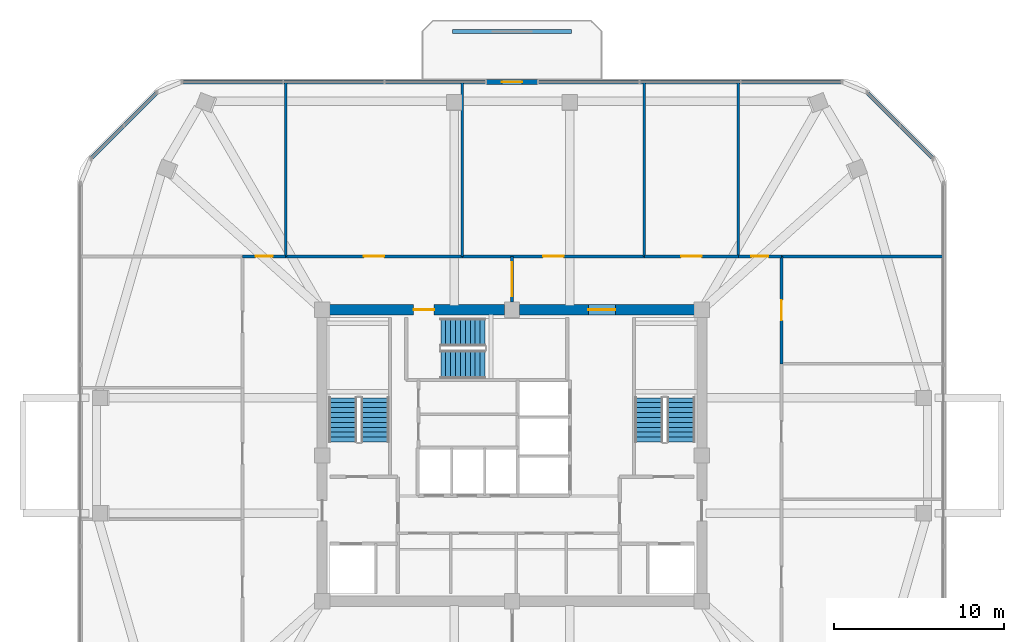
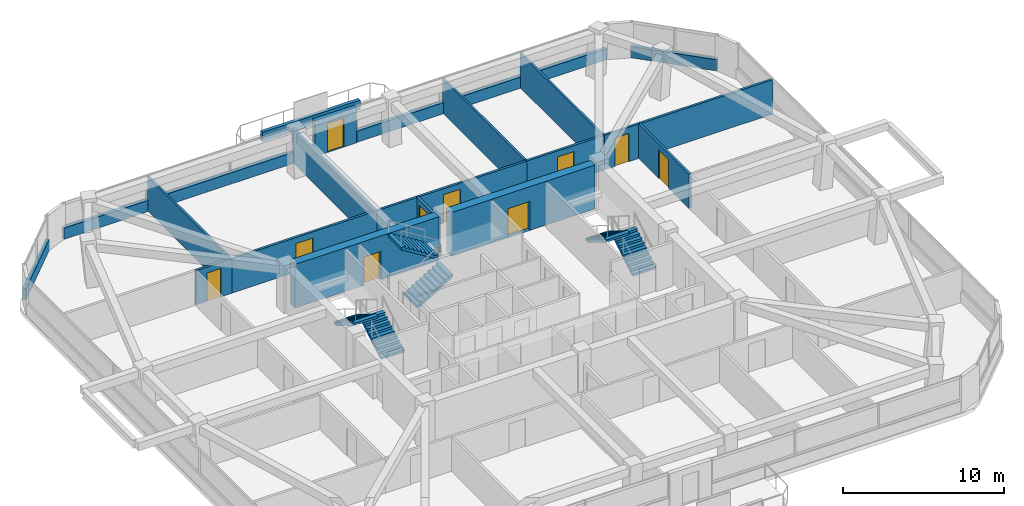
# One storey, part 10 of 12: 20 walls, 10 doors, 6 stair flights, 10 openings, 3 elements without a shape of their own.
"""IFC4 building model written with IfcOpenShell, lengths in metres."""

import ifcopenshell
import ifcopenshell.guid

model = None  # the IFC model being written
_history = None  # IfcOwnerHistory: only IFC2X3 demands one
_inside = {}  # id of a spatial element -> (the spatial element, [elements in it])
_under = {}  # id of a project, library or spatial element -> (it, [spatial elements below it])
_declared = {}  # id of a project -> (the project, [libraries it declares])
_typed = {}  # id of a type object -> (the type object, [elements of that type])
_made_of = {}  # id of a material, layer set ... -> (it, [elements and type objects made of it])


def new_model(schema):
    """Start an empty IFC model of exactly this schema.

    Asked for "IFC4X3", IfcOpenShell would pick the latest addendum, in which some entities
    have other attributes; the version numbers below select the first issue.
    IFC2X3 requires an IfcOwnerHistory on every rooted entity: one is made here for all.
    """
    global model, _history
    if schema == "IFC4X3":
        model = ifcopenshell.file(schema_version=(4, 3, 0, 0))
    else:
        model = ifcopenshell.file(schema=schema)
    _inside.clear()
    _under.clear()
    _declared.clear()
    _typed.clear()
    _made_of.clear()
    _history = None
    if model.schema == "IFC2X3":
        org = make("IfcOrganization", Name="unknown")
        user = make(
            "IfcPersonAndOrganization",
            ThePerson=make("IfcPerson", FamilyName="unknown"),
            TheOrganization=org,
        )
        app = make(
            "IfcApplication",
            ApplicationDeveloper=org,
            Version="unknown",
            ApplicationFullName="unknown",
            ApplicationIdentifier="unknown",
        )
        _history = make(
            "IfcOwnerHistory",
            OwningUser=user,
            OwningApplication=app,
            ChangeAction="ADDED",
            CreationDate=0,
        )
    return model


def make(cls, **values):
    """One entity of the class cls with the attributes given. An attribute that is None is left unset."""
    return model.create_entity(
        cls, **{name: value for name, value in values.items() if value is not None}
    )


def rooted(cls, **values):
    """An entity with a GlobalId (a new one), such as an element, a storey or a relation."""
    return make(cls, GlobalId=ifcopenshell.guid.new(), OwnerHistory=_history, **values)


def si_unit(unit_type, name, prefix=None):
    """IfcSIUnit, for example si_unit("LENGTHUNIT", "METRE", prefix="MILLI")."""
    return make("IfcSIUnit", UnitType=unit_type, Prefix=prefix, Name=name)


def derived_unit(unit_type, elements):
    """IfcDerivedUnit: a product of units, each with its exponent."""
    return make(
        "IfcDerivedUnit",
        Elements=[
            make("IfcDerivedUnitElement", Unit=unit, Exponent=power)
            for unit, power in elements
        ],
        UnitType=unit_type,
    )


def assignment(units):
    """IfcUnitAssignment: the units of a project."""
    return None if units is None else make("IfcUnitAssignment", Units=units)


def point(xyz):
    """IfcCartesianPoint."""
    return None if xyz is None else make("IfcCartesianPoint", Coordinates=xyz)


def direction(xyz):
    """IfcDirection."""
    return None if xyz is None else make("IfcDirection", DirectionRatios=xyz)


def frame(location, z_axis=None, x_axis=None):
    """IfcAxis2Placement3D, a coordinate frame: its origin and axes. An axis left out is left unset."""
    return make(
        "IfcAxis2Placement3D",
        Location=point(location),
        Axis=direction(z_axis),
        RefDirection=direction(x_axis),
    )


def frame_2d(location, x_axis=None):
    """IfcAxis2Placement2D, a coordinate frame in the plane: its origin and x axis."""
    return make(
        "IfcAxis2Placement2D", Location=point(location), RefDirection=direction(x_axis)
    )


def origin():
    """The frame at (0, 0, 0) with its axes left unset."""
    return frame((0.0, 0.0, 0.0))


def place(relative_to, where):
    """IfcLocalPlacement: puts the frame where relative to a parent placement (None: the world)."""
    return make(
        "IfcLocalPlacement", PlacementRelTo=relative_to, RelativePlacement=where
    )


def context(
    kind, dimensions, precision=None, world=None, true_north=None, identifier=None
):
    """IfcGeometricRepresentationContext, for example the 3D "Model" context."""
    return make(
        "IfcGeometricRepresentationContext",
        ContextIdentifier=identifier,
        ContextType=kind,
        CoordinateSpaceDimension=dimensions,
        Precision=precision,
        WorldCoordinateSystem=world,
        TrueNorth=true_north,
    )


def subcontext(parent, identifier, kind, view, scale=None):
    """IfcGeometricRepresentationSubContext, for example "Body" below "Model"."""
    return make(
        "IfcGeometricRepresentationSubContext",
        ContextIdentifier=identifier,
        ContextType=kind,
        ParentContext=parent,
        TargetScale=scale,
        TargetView=view,
    )


def project(units=None, contexts=None):
    """IfcProject with its units and contexts."""
    return rooted(
        "IfcProject",
        Name="project",
        RepresentationContexts=contexts,
        UnitsInContext=assignment(units),
    )


def spatial(cls, under=None, at=None, **own):
    """A site, building, storey or space (cls), placed at a placement, below another one or the project."""
    s = rooted(cls, ObjectPlacement=at, **own)
    if under is not None:
        _under.setdefault(under.id(), (under, []))[1].append(s)
    return s


def polyline(points):
    """IfcPolyline through the points."""
    return make("IfcPolyline", Points=[point(p) for p in points])


def profile(cls, at=None, kind="AREA", **sizes):
    """A parametric profile (cls). Its sizes go by their IFC names, for example OverallWidth=200.0."""
    return make(cls, ProfileType=kind, Position=at, **sizes)


def rectangle(**sizes):
    """IfcRectangleProfileDef."""
    return profile("IfcRectangleProfileDef", **sizes)


def outline(outer, holes=None, kind="AREA"):
    """IfcArbitraryClosedProfileDef: a profile drawn as a closed curve; with holes, ...WithVoids."""
    if holes is None:
        return make("IfcArbitraryClosedProfileDef", ProfileType=kind, OuterCurve=outer)
    return make(
        "IfcArbitraryProfileDefWithVoids",
        ProfileType=kind,
        OuterCurve=outer,
        InnerCurves=holes,
    )


def extrude(swept, where, along, depth):
    """IfcExtrudedAreaSolid: the profile swept, set in the frame where, extruded along a direction by depth."""
    return make(
        "IfcExtrudedAreaSolid",
        SweptArea=swept,
        Position=where,
        ExtrudedDirection=direction(along),
        Depth=depth,
    )


def shape(context_of_items, identifier, shape_type, items):
    """IfcShapeRepresentation: the items that make up one representation, for example the "Body"."""
    return make(
        "IfcShapeRepresentation",
        ContextOfItems=context_of_items,
        RepresentationIdentifier=identifier,
        RepresentationType=shape_type,
        Items=items,
    )


def material(Name=None, Category=None):
    """IfcMaterial."""
    return make("IfcMaterial", Name=Name, Category=Category)


def layer(
    of_material, thickness, ventilated=None, Name=None, Category=None, Priority=None
):
    """IfcMaterialLayer: one layer of a wall or slab, of a material (None: an air gap)."""
    return make(
        "IfcMaterialLayer",
        Material=of_material,
        LayerThickness=thickness,
        IsVentilated=ventilated,
        Name=Name,
        Category=Category,
        Priority=Priority,
    )


def layer_set(layers, Name=None):
    """IfcMaterialLayerSet."""
    return make("IfcMaterialLayerSet", MaterialLayers=layers, LayerSetName=Name)


def made_of(thing, what):
    """Note that an element or type object is made of a material, layer set ...; save() writes the relation."""
    if what is not None:
        _made_of.setdefault(what.id(), (what, []))[1].append(thing)
    return thing


def type_object(cls, material=None, **own):
    """A type object (cls), such as IfcWallType, which elements share."""
    return made_of(rooted(cls, **own), material)


def element(
    cls,
    number,
    at=None,
    inside=None,
    cuts=None,
    type_object=None,
    material=None,
    context=None,
    identifier="Body",
    shape_type=None,
    held_by="IfcProductDefinitionShape",
    body=None,
    shapes=None,
    **own,
):
    """One element of the class cls, such as IfcWall. Its Tag is "e" and its number.

    at: its placement. inside: the storey or other place that contains it. cuts: it is an
    opening in that element (IfcRelVoidsElement). A single representation is given by context,
    identifier, shape_type and body (its items); several are given by shapes. held_by: the class
    of the entity that holds the representations. save() writes the other relations.
    """
    e = rooted(cls, Tag="e%d" % number, ObjectPlacement=at, **own)
    if body is not None:
        shapes = [shape(context, identifier, shape_type, body)]
    if shapes is not None:
        e.Representation = make(held_by, Representations=shapes)
    if inside is not None:
        _inside.setdefault(inside.id(), (inside, []))[1].append(e)
    if cuts is not None:
        rooted(
            "IfcRelVoidsElement", RelatingBuildingElement=cuts, RelatedOpeningElement=e
        )
    if type_object is not None:
        _typed.setdefault(type_object.id(), (type_object, []))[1].append(e)
    return made_of(e, material)


def fill(opening, filler):
    """IfcRelFillsElement: the door or window that sits in an opening."""
    return rooted(
        "IfcRelFillsElement",
        RelatingOpeningElement=opening,
        RelatedBuildingElement=filler,
    )


def aggregate(whole, parts):
    """IfcRelAggregates: a whole, such as a stair, and the parts it consists of."""
    return rooted("IfcRelAggregates", RelatingObject=whole, RelatedObjects=parts)


def save(model, path):
    """Write the relations noted so far, then the file.

    IfcRelAggregates (storeys below a building ...), IfcRelContainedInSpatialStructure (elements
    in a storey), IfcRelDefinesByType, IfcRelAssociatesMaterial and IfcRelDeclares: one each for
    every whole, place, type object, material and project.
    """
    for whole, parts in _under.values():
        aggregate(whole, parts)
    for where, things in _inside.values():
        rooted(
            "IfcRelContainedInSpatialStructure",
            RelatedElements=things,
            RelatingStructure=where,
        )
    for kind, things in _typed.values():
        rooted("IfcRelDefinesByType", RelatedObjects=things, RelatingType=kind)
    for what, things in _made_of.values():
        rooted("IfcRelAssociatesMaterial", RelatedObjects=things, RelatingMaterial=what)
    for by, libraries in _declared.values():
        rooted("IfcRelDeclares", RelatingContext=by, RelatedDefinitions=libraries)
    model.write(path)


model = new_model("IFC4")

# Units and contexts
model_context = context("Model", 3, precision=1e-05, world=origin(), true_north=direction((0.0, 1.0)))
body_context = subcontext(model_context, "Body", "Model", "MODEL_VIEW")
ifc_project = project(units=[si_unit("LENGTHUNIT", "METRE"), si_unit("AREAUNIT", "SQUARE_METRE"), si_unit("VOLUMEUNIT", "CUBIC_METRE"), si_unit("PLANEANGLEUNIT", "RADIAN"), si_unit("MASSUNIT", "GRAM", prefix="KILO"), derived_unit("THERMALTRANSMITTANCEUNIT", [(si_unit("POWERUNIT", "WATT"), 1), (si_unit("LENGTHUNIT", "METRE"), -2), (si_unit("THERMODYNAMICTEMPERATUREUNIT", "KELVIN"), -1)])], contexts=[model_context])

# Site, building, storey
site_placement = place(None, origin())
site = spatial("IfcSite", under=ifc_project, at=site_placement, CompositionType="ELEMENT")
building_placement = place(site_placement, origin())
building = spatial("IfcBuilding", under=site, at=building_placement, Name="Koralith Skygarden Medical Center", CompositionType="ELEMENT")
storey_placement = place(building_placement, frame((0.0, 0.0, 203.580078125)))
storey = spatial("IfcBuildingStorey", under=building, at=storey_placement, Name="L52", CompositionType="ELEMENT", Elevation=203.580078125)

# Walls
ifc_material_1 = material(Name="Gypsum Board Partition")
ifc_layer_1 = layer(ifc_material_1, 0.14990234375)
ifc_layer_set_1 = layer_set([ifc_layer_1], Name="Gypsum Board Partition")
wall_type_1 = type_object("IfcWallType", Name="Clinical Acoustic Partition 150", PredefinedType="PARTITIONING", material=ifc_layer_set_1)
for number, where, z_axis, x_axis, name in (
    (1, (23.64990234375, 37.64990234375, 0.0), (0.0, 0.0, 1.0), (0.0, 1.0, 0.0), "L52 Clinical Acoustic Partition 150 W-PART-L52-N-01"),
    (2, (34.070068359375, 37.64990234375, 0.0), (0.0, 0.0, 1.0), (0.0, 1.0, 0.0), "L52 Clinical Acoustic Partition 150 W-PART-L52-N-02"),
    (3, (44.81103515625, 37.64990234375, 0.0), (0.0, 0.0, 1.0), (0.0, 1.0, 0.0), "L52 Clinical Acoustic Partition 150 W-PART-L52-N-03"),
    (4, (50.35009765625, 37.64990234375, 0.0), (0.0, 0.0, 1.0), (0.0, 1.0, 0.0), "L52 Clinical Acoustic Partition 150 W-PART-L52-N-04"),
):
    element("IfcWall", number, at=place(storey_placement, frame(where, z_axis=z_axis, x_axis=x_axis)), inside=storey, type_object=wall_type_1, Name=name, PredefinedType="PARTITIONING", context=body_context, shape_type="SweptSolid", body=[
        extrude(rectangle(XDim=10.27099609375, YDim=0.14990234375, at=frame_2d((5.135498046875, 0.0))), origin(), (0.0, 0.0, 1.0), 2.60986328125),
    ])
ifc_layer_2 = layer(ifc_material_1, 0.1650390625)
ifc_layer_set_2 = layer_set([ifc_layer_2], Name="Gypsum Board Partition")
wall_type_2 = type_object("IfcWallType", Name="Clinical Corridor Partition 165", PredefinedType="PARTITIONING", material=ifc_layer_set_2)
wall_1_placement = place(storey_placement, frame((52.89990234375, 37.64990234375, 0.0), z_axis=(0.0, 0.0, 1.0), x_axis=(1.0, 0.0, 0.0)))
element("IfcWall", 5, at=wall_1_placement, inside=storey, type_object=wall_type_2, Name="L52 Clinical Corridor Partition 165 W-WB-L52-NE", PredefinedType="PARTITIONING", context=body_context, shape_type="SweptSolid", body=[
    extrude(rectangle(XDim=9.531005859375, YDim=0.1650390625, at=frame_2d((4.765625, 0.0))), origin(), (0.0, 0.0, 1.0), 2.60986328125),
])

# Wall, opening, door
wall_2_placement = place(storey_placement, frame((21.10009765625, 37.64990234375, 0.0), z_axis=(0.0, 0.0, 1.0), x_axis=(1.0, 0.0, 0.0)))
wall_2 = element("IfcWall", 6, at=wall_2_placement, inside=storey, type_object=wall_type_2, Name="L52 Clinical Corridor Partition 165 W-CORR-L52-N-01", PredefinedType="PARTITIONING", context=body_context, shape_type="SweptSolid", body=[
    extrude(rectangle(XDim=2.5498046875, YDim=0.1650390625, at=frame_2d((1.27490234375, 0.0))), origin(), (0.0, 0.0, 1.0), 2.60986328125),
])
opening_1_placement = place(wall_2_placement, frame((0.77490234375, 0.0, 0.0)))
opening_1 = element("IfcOpeningElement", 7, at=opening_1_placement, cuts=wall_2, Name="Opening D-SUP", PredefinedType="OPENING", context=body_context, shape_type="SweptSolid", body=[
    extrude(rectangle(XDim=1.0, YDim=2.14990234375, at=frame_2d((0.5, 1.074951171875))), frame((0.0, 0.092529296875, 0.0), z_axis=(0.0, -1.0, 0.0), x_axis=(1.0, 0.0, 0.0)), (0.0, 0.0, 1.0), 0.18505859375),
])
ifc_material_2 = material(Name="Aluminium 6063-T6", Category="aluminium")
door_type_1 = type_object("IfcDoorType", Name="Clinical Support Door D-SUP 1000", OperationType="NOTDEFINED", PredefinedType="DOOR", material=ifc_material_2)
door_1_placement = place(opening_1_placement, origin())
door_1 = element("IfcDoor", 8, at=door_1_placement, inside=storey, type_object=door_type_1, Name="L52 Cardiology Fellows Office 01 Door", OperationType="SINGLE_SWING_RIGHT", OverallHeight=2.14990234375, OverallWidth=1.0, PredefinedType="DOOR", context=body_context, shape_type="SweptSolid", body=[
    extrude(rectangle(XDim=1.0, YDim=2.14990234375, at=frame_2d((0.5, 1.074951171875))), frame((0.0, 0.02490234375, 0.0), z_axis=(0.0, -1.0, 0.0), x_axis=(1.0, 0.0, 0.0)), (0.0, 0.0, 1.0), 0.050048828125),
])
fill(opening_1, door_1)

wall_3_placement = place(storey_placement, frame((23.64990234375, 37.64990234375, 0.0), z_axis=(0.0, 0.0, 1.0), x_axis=(1.0, 0.0, 0.0)))
wall_3 = element("IfcWall", 9, at=wall_3_placement, inside=storey, type_object=wall_type_2, Name="L52 Clinical Corridor Partition 165 W-CORR-L52-N-02", PredefinedType="PARTITIONING", context=body_context, shape_type="SweptSolid", body=[
    extrude(rectangle(XDim=10.420166015625, YDim=0.1650390625, at=frame_2d((5.2099609375, 0.0))), origin(), (0.0, 0.0, 1.0), 2.60986328125),
])
opening_2_placement = place(wall_3_placement, frame((4.610107421875, 0.0, 0.0)))
opening_2 = element("IfcOpeningElement", 10, at=opening_2_placement, cuts=wall_3, Name="Opening D-CLN", PredefinedType="OPENING", context=body_context, shape_type="SweptSolid", body=[
    extrude(rectangle(XDim=1.199951171875, YDim=2.14990234375, at=frame_2d((0.60009765625, 1.074951171875))), frame((0.0, 0.092529296875, 0.0), z_axis=(0.0, -1.0, 0.0), x_axis=(1.0, 0.0, 0.0)), (0.0, 0.0, 1.0), 0.18505859375),
])
door_type_2 = type_object("IfcDoorType", Name="Clinical Corridor Door D-CLN 1200", OperationType="NOTDEFINED", PredefinedType="DOOR", material=ifc_material_2)
door_2_placement = place(opening_2_placement, origin())
door_2 = element("IfcDoor", 11, at=door_2_placement, inside=storey, type_object=door_type_2, Name="L52 Pacemaker Interrogation Exam Room 02 Door", OperationType="SINGLE_SWING_LEFT", OverallHeight=2.14990234375, OverallWidth=1.199951171875, PredefinedType="DOOR", context=body_context, shape_type="SweptSolid", body=[
    extrude(rectangle(XDim=1.199951171875, YDim=2.14990234375, at=frame_2d((0.60009765625, 1.074951171875))), frame((0.0, 0.02490234375, 0.0), z_axis=(0.0, -1.0, 0.0), x_axis=(1.0, 0.0, 0.0)), (0.0, 0.0, 1.0), 0.050048828125),
])
fill(opening_2, door_2)

wall_4_placement = place(storey_placement, frame((34.070068359375, 37.64990234375, 0.0), z_axis=(0.0, 0.0, 1.0), x_axis=(1.0, 0.0, 0.0)))
wall_4 = element("IfcWall", 12, at=wall_4_placement, inside=storey, type_object=wall_type_2, Name="L52 Clinical Corridor Partition 165 W-CORR-L52-N-03", PredefinedType="PARTITIONING", context=body_context, shape_type="SweptSolid", body=[
    extrude(rectangle(XDim=10.740966796875, YDim=0.1650390625, at=frame_2d((5.37060546875, 0.0))), origin(), (0.0, 0.0, 1.0), 2.60986328125),
])
opening_3_placement = place(wall_4_placement, frame((4.77099609375, 0.0, 0.0)))
opening_3 = element("IfcOpeningElement", 13, at=opening_3_placement, cuts=wall_4, Name="Opening D-CLN", PredefinedType="OPENING", context=body_context, shape_type="SweptSolid", body=[
    extrude(rectangle(XDim=1.199951171875, YDim=2.14990234375, at=frame_2d((0.60009765625, 1.074951171875))), frame((0.0, 0.092529296875, 0.0), z_axis=(0.0, -1.0, 0.0), x_axis=(1.0, 0.0, 0.0)), (0.0, 0.0, 1.0), 0.18505859375),
])
door_3_placement = place(opening_3_placement, origin())
door_3 = element("IfcDoor", 14, at=door_3_placement, inside=storey, type_object=door_type_2, Name="L52 Patient and Family Sky-Garden Day Lounge 03 Door", OperationType="SINGLE_SWING_RIGHT", OverallHeight=2.14990234375, OverallWidth=1.199951171875, PredefinedType="DOOR", context=body_context, shape_type="SweptSolid", body=[
    extrude(rectangle(XDim=1.199951171875, YDim=2.14990234375, at=frame_2d((0.60009765625, 1.074951171875))), frame((0.0, 0.02490234375, 0.0), z_axis=(0.0, -1.0, 0.0), x_axis=(1.0, 0.0, 0.0)), (0.0, 0.0, 1.0), 0.050048828125),
])
fill(opening_3, door_3)

wall_5_placement = place(storey_placement, frame((44.81103515625, 37.64990234375, 0.0), z_axis=(0.0, 0.0, 1.0), x_axis=(1.0, 0.0, 0.0)))
wall_5 = element("IfcWall", 15, at=wall_5_placement, inside=storey, type_object=wall_type_2, Name="L52 Clinical Corridor Partition 165 W-CORR-L52-N-04", PredefinedType="PARTITIONING", context=body_context, shape_type="SweptSolid", body=[
    extrude(rectangle(XDim=5.5390625, YDim=0.1650390625, at=frame_2d((2.76953125, 0.0))), origin(), (0.0, 0.0, 1.0), 2.60986328125),
])
opening_4_placement = place(wall_5_placement, frame((2.169921875, 0.0, 0.0)))
opening_4 = element("IfcOpeningElement", 16, at=opening_4_placement, cuts=wall_5, Name="Opening D-CLN", PredefinedType="OPENING", context=body_context, shape_type="SweptSolid", body=[
    extrude(rectangle(XDim=1.199951171875, YDim=2.14990234375, at=frame_2d((0.60009765625, 1.074951171875))), frame((0.0, 0.092529296875, 0.0), z_axis=(0.0, -1.0, 0.0), x_axis=(1.0, 0.0, 0.0)), (0.0, 0.0, 1.0), 0.18505859375),
])
door_4_placement = place(opening_4_placement, origin())
door_4 = element("IfcDoor", 17, at=door_4_placement, inside=storey, type_object=door_type_2, Name="L52 Cardiac Stress Exercise Hall 04 Door", OperationType="SINGLE_SWING_LEFT", OverallHeight=2.14990234375, OverallWidth=1.199951171875, PredefinedType="DOOR", context=body_context, shape_type="SweptSolid", body=[
    extrude(rectangle(XDim=1.199951171875, YDim=2.14990234375, at=frame_2d((0.60009765625, 1.074951171875))), frame((0.0, 0.02490234375, 0.0), z_axis=(0.0, -1.0, 0.0), x_axis=(1.0, 0.0, 0.0)), (0.0, 0.0, 1.0), 0.050048828125),
])
fill(opening_4, door_4)

wall_6_placement = place(storey_placement, frame((50.35009765625, 37.64990234375, 0.0), z_axis=(0.0, 0.0, 1.0), x_axis=(1.0, 0.0, 0.0)))
wall_6 = element("IfcWall", 18, at=wall_6_placement, inside=storey, type_object=wall_type_2, Name="L52 Clinical Corridor Partition 165 W-CORR-L52-N-05", PredefinedType="PARTITIONING", context=body_context, shape_type="SweptSolid", body=[
    extrude(rectangle(XDim=2.5498046875, YDim=0.1650390625, at=frame_2d((1.27490234375, 0.0))), origin(), (0.0, 0.0, 1.0), 2.60986328125),
])
opening_5_placement = place(wall_6_placement, frame((0.77490234375, 0.0, 0.0)))
opening_5 = element("IfcOpeningElement", 19, at=opening_5_placement, cuts=wall_6, Name="Opening D-SUP", PredefinedType="OPENING", context=body_context, shape_type="SweptSolid", body=[
    extrude(rectangle(XDim=1.0, YDim=2.14990234375, at=frame_2d((0.5, 1.074951171875))), frame((0.0, 0.092529296875, 0.0), z_axis=(0.0, -1.0, 0.0), x_axis=(1.0, 0.0, 0.0)), (0.0, 0.0, 1.0), 0.18505859375),
])
door_5_placement = place(opening_5_placement, origin())
door_5 = element("IfcDoor", 20, at=door_5_placement, inside=storey, type_object=door_type_1, Name="L52 Telemetry Holter Store 05 Door", OperationType="SINGLE_SWING_RIGHT", OverallHeight=2.14990234375, OverallWidth=1.0, PredefinedType="DOOR", context=body_context, shape_type="SweptSolid", body=[
    extrude(rectangle(XDim=1.0, YDim=2.14990234375, at=frame_2d((0.5, 1.074951171875))), frame((0.0, 0.02490234375, 0.0), z_axis=(0.0, -1.0, 0.0), x_axis=(1.0, 0.0, 0.0)), (0.0, 0.0, 1.0), 0.050048828125),
])
fill(opening_5, door_5)

wall_7_placement = place(storey_placement, frame((52.89990234375, 31.304931640625, 0.0), z_axis=(0.0, 0.0, 1.0), x_axis=(0.0, 1.0, 0.0)))
wall_7 = element("IfcWall", 21, at=wall_7_placement, inside=storey, type_object=wall_type_2, Name="L52 Clinical Corridor Partition 165 W-CORR-L52-E-03", PredefinedType="PARTITIONING", context=body_context, shape_type="SweptSolid", body=[
    extrude(rectangle(XDim=6.344970703125, YDim=0.1650390625, at=frame_2d((3.17236328125, 0.0))), origin(), (0.0, 0.0, 1.0), 2.60986328125),
])
opening_6_placement = place(wall_7_placement, frame((2.572021484375, 0.0, 0.0)))
opening_6 = element("IfcOpeningElement", 22, at=opening_6_placement, cuts=wall_7, Name="Opening D-CLN", PredefinedType="OPENING", context=body_context, shape_type="SweptSolid", body=[
    extrude(rectangle(XDim=1.199951171875, YDim=2.14990234375, at=frame_2d((0.60009765625, 1.074951171875))), frame((0.0, 0.092529296875, 0.0), z_axis=(0.0, -1.0, 0.0), x_axis=(1.0, 0.0, 0.0)), (0.0, 0.0, 1.0), 0.18505859375),
])
door_6_placement = place(opening_6_placement, origin())
door_6 = element("IfcDoor", 23, at=door_6_placement, inside=storey, type_object=door_type_2, Name="L52 Pacemaker Interrogation Exam Room 16 Door", OperationType="SINGLE_SWING_LEFT", OverallHeight=2.14990234375, OverallWidth=1.199951171875, PredefinedType="DOOR", context=body_context, shape_type="SweptSolid", body=[
    extrude(rectangle(XDim=1.199951171875, YDim=2.14990234375, at=frame_2d((0.60009765625, 1.074951171875))), frame((0.0, 0.02490234375, 0.0), z_axis=(0.0, -1.0, 0.0), x_axis=(1.0, 0.0, 0.0)), (0.0, 0.0, 1.0), 0.050048828125),
])
fill(opening_6, door_6)

ifc_layer_3 = layer(ifc_material_1, 0.179931640625)
ifc_layer_set_3 = layer_set([ifc_layer_3], Name="Gypsum Board Partition")
wall_type_3 = type_object("IfcWallType", Name="Group I-2 Smoke Barrier Wall 180", PredefinedType="PARTITIONING", material=ifc_layer_set_3)
wall_8_placement = place(storey_placement, frame((37.0, 34.949951171875, 0.0), z_axis=(0.0, 0.0, 1.0), x_axis=(0.0, 1.0, 0.0)))
wall_8 = element("IfcWall", 24, at=wall_8_placement, inside=storey, type_object=wall_type_3, Name="L52 Group I-2 Smoke Barrier Wall 180 W-SMK-L52-N", PredefinedType="PARTITIONING", context=body_context, shape_type="SweptSolid", body=[
    extrude(rectangle(XDim=2.699951171875, YDim=0.179931640625, at=frame_2d((1.35009765625, 0.0))), origin(), (0.0, 0.0, 1.0), 2.60986328125),
])
opening_7_placement = place(wall_8_placement, frame((0.35009765625, 0.0, 0.0)))
opening_7 = element("IfcOpeningElement", 25, at=opening_7_placement, cuts=wall_8, Name="Opening D-SMK", PredefinedType="OPENING", context=body_context, shape_type="SweptSolid", body=[
    extrude(rectangle(XDim=2.0, YDim=2.199951171875, at=frame_2d((1.0, 1.10009765625))), frame((0.0, 0.099853515625, 0.0), z_axis=(0.0, -1.0, 0.0), x_axis=(1.0, 0.0, 0.0)), (0.0, 0.0, 1.0), 0.199951171875),
])
ifc_material_3 = material(Name="Steel ASTM A500 Grade C", Category="steel")
door_type_3 = type_object("IfcDoorType", Name="Cross-Corridor Double Smoke Door FD60S 2000", OperationType="NOTDEFINED", PredefinedType="DOOR", material=ifc_material_3)
door_7_placement = place(opening_7_placement, origin())
door_7 = element("IfcDoor", 26, at=door_7_placement, inside=storey, type_object=door_type_3, Name="L52 N Smoke Compartment Cross-Corridor Door", OperationType="DOUBLE_DOOR_SINGLE_SWING", OverallHeight=2.199951171875, OverallWidth=2.0, PredefinedType="DOOR", context=body_context, shape_type="SweptSolid", body=[
    extrude(rectangle(XDim=2.0, YDim=2.199951171875, at=frame_2d((1.0, 1.10009765625))), frame((0.0, 0.02490234375, 0.0), z_axis=(0.0, -1.0, 0.0), x_axis=(1.0, 0.0, 0.0)), (0.0, 0.0, 1.0), 0.050048828125),
])
fill(opening_7, door_7)

# Walls
ifc_material_4 = material(Name="Warm Oolitic Limestone Cladding", Category="masonry")
ifc_layer_4 = layer(ifc_material_4, 0.239990234375)
ifc_layer_set_4 = layer_set([ifc_layer_4], Name="Warm Oolitic Limestone Cladding")
wall_type_4 = type_object("IfcWallType", Name="Limestone Spandrel Sill Backup Wall 240", PredefinedType="SOLIDWALL", material=ifc_layer_set_4)
wall_9_placement = place(storey_placement, frame((61.84912109375, 43.4169921875, 0.0), z_axis=(0.0, 0.0, 1.0), x_axis=(-0.707106781187, 0.707106781187, 0.0)))
element("IfcWall", 27, at=wall_9_placement, inside=storey, type_object=wall_type_4, Name="L52 Sill Spandrel NE", PredefinedType="SOLIDWALL", context=body_context, shape_type="SweptSolid", body=[
    extrude(rectangle(XDim=5.548095703125, YDim=0.239990234375, at=frame_2d((2.77392578125, 0.0))), origin(), (0.0, 0.0, 1.0), 0.849853515625),
])
for number, where, z_axis, x_axis, name in (
    (28, (56.47509765625, 47.94091796875, 0.0), (0.0, 0.0, 1.0), (-1.0, 0.0, 0.0), "L52 Sill Spandrel N-L"),
    (29, (35.4599609375, 47.94091796875, 0.0), (0.0, 0.0, 1.0), (-1.0, 0.0, 0.0), "L52 Sill Spandrel N-R"),
):
    element("IfcWall", number, at=place(storey_placement, frame(where, z_axis=z_axis, x_axis=x_axis)), inside=storey, type_object=wall_type_4, Name=name, PredefinedType="SOLIDWALL", context=body_context, shape_type="SweptSolid", body=[
        extrude(rectangle(XDim=17.93505859375, YDim=0.239990234375, at=frame_2d((8.967529296875, 0.0))), origin(), (0.0, 0.0, 1.0), 0.849853515625),
    ])
wall_10_placement = place(storey_placement, frame((16.073974609375, 47.340087890625, 0.0), z_axis=(0.0, 0.0, 1.0), x_axis=(-0.707106781187, -0.707106781187, 0.0)))
element("IfcWall", 30, at=wall_10_placement, inside=storey, type_object=wall_type_4, Name="L52 Sill Spandrel NW", PredefinedType="SOLIDWALL", context=body_context, shape_type="SweptSolid", body=[
    extrude(rectangle(XDim=5.548095703125, YDim=0.239990234375, at=frame_2d((2.77392578125, 0.0))), origin(), (0.0, 0.0, 1.0), 0.849853515625),
])

# Wall, opening, door
ifc_layer_5 = layer(ifc_material_4, 0.300048828125)
ifc_layer_set_5 = layer_set([ifc_layer_5], Name="Warm Oolitic Limestone Cladding")
wall_type_5 = type_object("IfcWallType", Name="Oolitic Limestone Insulated Facade Wall 300", PredefinedType="SOLIDWALL", material=ifc_layer_set_5)
wall_11_placement = place(storey_placement, frame((38.5, 47.94091796875, 0.0), z_axis=(0.0, 0.0, 1.0), x_axis=(-1.0, 0.0, 0.0)))
wall_11 = element("IfcWall", 31, at=wall_11_placement, inside=storey, type_object=wall_type_5, Name="L52 Terrace Portal Wall N", PredefinedType="SOLIDWALL", context=body_context, shape_type="SweptSolid", body=[
    extrude(rectangle(XDim=3.0, YDim=0.300048828125, at=frame_2d((1.5, 0.0))), origin(), (0.0, 0.0, 1.0), 2.68994140625),
])
opening_8_placement = place(wall_11_placement, frame((0.89990234375, 0.0, 0.0)))
opening_8 = element("IfcOpeningElement", 32, at=opening_8_placement, cuts=wall_11, Name="Opening D-BAL", PredefinedType="OPENING", context=body_context, shape_type="SweptSolid", body=[
    extrude(rectangle(XDim=1.199951171875, YDim=2.199951171875, at=frame_2d((0.60009765625, 1.10009765625))), frame((0.0, 0.159912109375, 0.0), z_axis=(0.0, -1.0, 0.0), x_axis=(1.0, 0.0, 0.0)), (0.0, 0.0, 1.0), 0.320068359375),
])
door_type_4 = type_object("IfcDoorType", Name="Planted Balcony Glazed Terrace Door D-BAL 1200", OperationType="NOTDEFINED", PredefinedType="DOOR", material=ifc_material_2)
door_8_placement = place(opening_8_placement, origin())
door_8 = element("IfcDoor", 33, at=door_8_placement, inside=storey, type_object=door_type_4, Name="L52 N Outdoor Terrace Access Door", OperationType="SINGLE_SWING_LEFT", OverallHeight=2.199951171875, OverallWidth=1.199951171875, PredefinedType="DOOR", context=body_context, shape_type="SweptSolid", body=[
    extrude(rectangle(XDim=1.199951171875, YDim=2.199951171875, at=frame_2d((0.60009765625, 1.10009765625))), frame((0.0, 0.02490234375, 0.0), z_axis=(0.0, -1.0, 0.0), x_axis=(1.0, 0.0, 0.0)), (0.0, 0.0, 1.0), 0.050048828125),
])
fill(opening_8, door_8)

# Wall
ifc_material_5 = material(Name="Precast concrete C40/50", Category="concrete")
ifc_layer_6 = layer(ifc_material_5, 0.25)
ifc_layer_set_6 = layer_set([ifc_layer_6], Name="Precast concrete C40/50")
wall_type_6 = type_object("IfcWallType", Name="Structural Concrete Balcony Planter Kerb 250", PredefinedType="PARAPET", material=ifc_layer_set_6)
wall_12_placement = place(storey_placement, frame((33.5, 50.922119140625, 0.0), z_axis=(0.0, 0.0, 1.0), x_axis=(1.0, 0.0, 0.0)))
element("IfcWall", 34, at=wall_12_placement, inside=storey, type_object=wall_type_6, Name="L52 N Structural Tree PLANTER Box", PredefinedType="PARAPET", context=body_context, shape_type="SweptSolid", body=[
    extrude(rectangle(XDim=7.0, YDim=0.25, at=frame_2d((3.5, 0.0))), origin(), (0.0, 0.0, 1.0), 0.719970703125),
])

# Wall, opening, door
ifc_material_6 = material(Name="Concrete C55/67", Category="concrete")
ifc_layer_7 = layer(ifc_material_6, 0.60009765625)
ifc_layer_set_7 = layer_set([ifc_layer_7], Name="Concrete C55/67")
wall_type_7 = type_object("IfcWallType", Name="Upper Core Shear Wall 600", PredefinedType="SHEAR", material=ifc_layer_set_7)
wall_13_placement = place(storey_placement, frame((47.7548828125, 34.5, 0.0), z_axis=(0.0, 0.0, 1.0), x_axis=(-1.0, 0.0, 0.0)))
wall_13 = element("IfcWall", 35, at=wall_13_placement, inside=storey, type_object=wall_type_7, Name="L52 Core Shear Wall Segment 5", PredefinedType="SHEAR", context=body_context, shape_type="SweptSolid", body=[
    extrude(rectangle(XDim=10.309814453125, YDim=0.60009765625, at=frame_2d((5.15478515625, 0.0))), origin(), (0.0, 0.0, 1.0), 3.31982421875),
])
opening_9_placement = place(wall_13_placement, frame((4.655029296875, 0.0, 0.0)))
opening_9 = element("IfcOpeningElement", 36, at=opening_9_placement, cuts=wall_13, Name="Opening D-DBL", PredefinedType="OPENING", context=body_context, shape_type="SweptSolid", body=[
    extrude(rectangle(XDim=1.60009765625, YDim=2.199951171875, at=frame_2d((0.800048828125, 1.10009765625))), frame((0.0, 0.31005859375, 0.0), z_axis=(0.0, -1.0, 0.0), x_axis=(1.0, 0.0, 0.0)), (0.0, 0.0, 1.0), 0.6201171875),
])
door_type_5 = type_object("IfcDoorType", Name="Double Clinical Suite Door D-DBL 1600", OperationType="NOTDEFINED", PredefinedType="DOOR", material=ifc_material_2)
door_9_placement = place(opening_9_placement, frame((1.60009765625, 0.0, 0.0), z_axis=(0.0, 0.0, 1.0), x_axis=(-1.0, 0.0, 0.0)))
door_9 = element("IfcDoor", 37, at=door_9_placement, inside=storey, type_object=door_type_5, Name="L52 North-East Corridor to Elevator Lobby Door", OperationType="DOUBLE_DOOR_SINGLE_SWING", OverallHeight=2.199951171875, OverallWidth=1.60009765625, PredefinedType="DOOR", context=body_context, shape_type="SweptSolid", body=[
    extrude(rectangle(XDim=1.60009765625, YDim=2.199951171875, at=frame_2d((0.800048828125, 1.10009765625))), frame((0.0, 0.02490234375, 0.0), z_axis=(0.0, -1.0, 0.0), x_axis=(1.0, 0.0, 0.0)), (0.0, 0.0, 1.0), 0.050048828125),
])
fill(opening_9, door_9)

wall_14_placement = place(storey_placement, frame((36.554931640625, 34.5, 0.0), z_axis=(0.0, 0.0, 1.0), x_axis=(-1.0, 0.0, 0.0)))
wall_14 = element("IfcWall", 38, at=wall_14_placement, inside=storey, type_object=wall_type_7, Name="L52 Core Shear Wall Segment 6", PredefinedType="SHEAR", context=body_context, shape_type="SweptSolid", body=[
    extrude(rectangle(XDim=10.309814453125, YDim=0.60009765625, at=frame_2d((5.15478515625, 0.0))), origin(), (0.0, 0.0, 1.0), 3.31982421875),
])
opening_10_placement = place(wall_14_placement, frame((4.155029296875, 0.0, 0.0)))
opening_10 = element("IfcOpeningElement", 39, at=opening_10_placement, cuts=wall_14, Name="Opening D-ST60", PredefinedType="OPENING", context=body_context, shape_type="SweptSolid", body=[
    extrude(rectangle(XDim=1.199951171875, YDim=2.14990234375, at=frame_2d((0.60009765625, 1.074951171875))), frame((0.0, 0.31005859375, 0.0), z_axis=(0.0, -1.0, 0.0), x_axis=(1.0, 0.0, 0.0)), (0.0, 0.0, 1.0), 0.6201171875),
])
door_type_6 = type_object("IfcDoorType", Name="Smokeproof Stair Fire Door FD60S 1200", OperationType="NOTDEFINED", PredefinedType="DOOR", material=ifc_material_3)
door_10_placement = place(opening_10_placement, frame((1.199951171875, 0.0, 0.0), z_axis=(0.0, 0.0, 1.0), x_axis=(-1.0, 0.0, 0.0)))
door_10 = element("IfcDoor", 40, at=door_10_placement, inside=storey, type_object=door_type_6, Name="L52 Exit Stair ST3 Fire Door", OperationType="SINGLE_SWING_LEFT", OverallHeight=2.14990234375, OverallWidth=1.199951171875, PredefinedType="DOOR", context=body_context, shape_type="SweptSolid", body=[
    extrude(rectangle(XDim=1.199951171875, YDim=2.14990234375, at=frame_2d((0.60009765625, 1.074951171875))), frame((0.0, 0.02490234375, 0.0), z_axis=(0.0, -1.0, 0.0), x_axis=(1.0, 0.0, 0.0)), (0.0, 0.0, 1.0), 0.050048828125),
])
fill(opening_10, door_10)

# Stair, stair flights
ifc_material_7 = material(Name="Concrete C45/55", Category="concrete")
stair_type = type_object("IfcStairType", Name="Core Exit Dogleg Concrete Stair", PredefinedType="HALF_TURN_STAIR", material=ifc_material_7)
stair_1_placement = place(storey_placement, origin())
stair_1 = element("IfcStair", 41, at=stair_1_placement, inside=storey, type_object=stair_type, Name="L52 Smokeproof Exit Stair ST1", PredefinedType="HALF_TURN_STAIR")
stair_flight_type = type_object("IfcStairFlightType", Name="Core Exit Concrete Stair Flight 1650", PredefinedType="STRAIGHT", material=ifc_material_7)
stair_flight_1_placement = place(storey_placement, frame((28.925048828125, 26.699951171875, 0.0), z_axis=(0.0, 0.0, 1.0), x_axis=(0.0, 1.0, 0.0)))
stair_flight_1 = element("IfcStairFlight", 42, at=stair_flight_1_placement, type_object=stair_flight_type, Name="ST1 flight 1", NumberOfRisers=10, NumberOfTreads=9, PredefinedType="STRAIGHT", RiserHeight=0.18, TreadLength=0.29, context=body_context, shape_type="SweptSolid", body=[
    extrude(outline(polyline([(0.0, 0.0), (0.0, 0.179931640625), (0.2900390625, 0.179931640625), (0.2900390625, 0.360107421875), (0.580078125, 0.360107421875), (0.580078125, 0.5400390625), (0.8701171875, 0.5400390625), (0.8701171875, 0.719970703125), (1.159912109375, 0.719970703125), (1.159912109375, 0.89990234375), (1.449951171875, 0.89990234375), (1.449951171875, 1.080078125), (1.739990234375, 1.080078125), (1.739990234375, 1.260009765625), (2.030029296875, 1.260009765625), (2.030029296875, 1.43994140625), (2.320068359375, 1.43994140625), (2.320068359375, 1.6201171875), (2.610107421875, 1.6201171875), (2.610107421875, 1.800048828125), (2.610107421875, 1.443603515625), (0.2841796875, 0.0), (0.0, 0.0)])), frame((0.0, 0.824951171875, 0.0), z_axis=(0.0, -1.0, 0.0), x_axis=(1.0, 0.0, 0.0)), (0.0, 0.0, 1.0), 1.64990234375),
])
stair_flight_2_placement = place(storey_placement, frame((27.02490234375, 29.31005859375, 1.7998046875), z_axis=(0.0, 0.0, 1.0), x_axis=(0.0, -1.0, 0.0)))
stair_flight_2 = element("IfcStairFlight", 43, at=stair_flight_2_placement, type_object=stair_flight_type, Name="ST1 flight 2", NumberOfRisers=10, NumberOfTreads=9, PredefinedType="STRAIGHT", RiserHeight=0.18, TreadLength=0.29, context=body_context, shape_type="SweptSolid", body=[
    extrude(outline(polyline([(0.0, 0.0), (0.0, 0.179931640625), (0.2900390625, 0.179931640625), (0.2900390625, 0.360107421875), (0.580078125, 0.360107421875), (0.580078125, 0.5400390625), (0.8701171875, 0.5400390625), (0.8701171875, 0.719970703125), (1.159912109375, 0.719970703125), (1.159912109375, 0.89990234375), (1.449951171875, 0.89990234375), (1.449951171875, 1.080078125), (1.739990234375, 1.080078125), (1.739990234375, 1.260009765625), (2.030029296875, 1.260009765625), (2.030029296875, 1.43994140625), (2.320068359375, 1.43994140625), (2.320068359375, 1.6201171875), (2.610107421875, 1.6201171875), (2.610107421875, 1.800048828125), (2.610107421875, 1.443603515625), (0.2841796875, 0.0), (0.0, 0.0)])), frame((0.0, 0.824951171875, 0.0), z_axis=(0.0, -1.0, 0.0), x_axis=(1.0, 0.0, 0.0)), (0.0, 0.0, 1.0), 1.64990234375),
])
aggregate(stair_1, [stair_flight_1, stair_flight_2])

stair_2_placement = place(storey_placement, origin())
stair_2 = element("IfcStair", 44, at=stair_2_placement, inside=storey, type_object=stair_type, Name="L52 Smokeproof Exit Stair ST2", PredefinedType="HALF_TURN_STAIR")
stair_flight_3_placement = place(storey_placement, frame((46.97509765625, 26.699951171875, 0.0), z_axis=(0.0, 0.0, 1.0), x_axis=(0.0, 1.0, 0.0)))
stair_flight_3 = element("IfcStairFlight", 45, at=stair_flight_3_placement, type_object=stair_flight_type, Name="ST2 flight 1", NumberOfRisers=10, NumberOfTreads=9, PredefinedType="STRAIGHT", RiserHeight=0.18, TreadLength=0.29, context=body_context, shape_type="SweptSolid", body=[
    extrude(outline(polyline([(0.0, 0.0), (0.0, 0.179931640625), (0.2900390625, 0.179931640625), (0.2900390625, 0.360107421875), (0.580078125, 0.360107421875), (0.580078125, 0.5400390625), (0.8701171875, 0.5400390625), (0.8701171875, 0.719970703125), (1.159912109375, 0.719970703125), (1.159912109375, 0.89990234375), (1.449951171875, 0.89990234375), (1.449951171875, 1.080078125), (1.739990234375, 1.080078125), (1.739990234375, 1.260009765625), (2.030029296875, 1.260009765625), (2.030029296875, 1.43994140625), (2.320068359375, 1.43994140625), (2.320068359375, 1.6201171875), (2.610107421875, 1.6201171875), (2.610107421875, 1.800048828125), (2.610107421875, 1.443603515625), (0.2841796875, 0.0), (0.0, 0.0)])), frame((0.0, 0.824951171875, 0.0), z_axis=(0.0, -1.0, 0.0), x_axis=(1.0, 0.0, 0.0)), (0.0, 0.0, 1.0), 1.64990234375),
])
stair_flight_4_placement = place(storey_placement, frame((45.074951171875, 29.31005859375, 1.7998046875), z_axis=(0.0, 0.0, 1.0), x_axis=(0.0, -1.0, 0.0)))
stair_flight_4 = element("IfcStairFlight", 46, at=stair_flight_4_placement, type_object=stair_flight_type, Name="ST2 flight 2", NumberOfRisers=10, NumberOfTreads=9, PredefinedType="STRAIGHT", RiserHeight=0.18, TreadLength=0.29, context=body_context, shape_type="SweptSolid", body=[
    extrude(outline(polyline([(0.0, 0.0), (0.0, 0.179931640625), (0.2900390625, 0.179931640625), (0.2900390625, 0.360107421875), (0.580078125, 0.360107421875), (0.580078125, 0.5400390625), (0.8701171875, 0.5400390625), (0.8701171875, 0.719970703125), (1.159912109375, 0.719970703125), (1.159912109375, 0.89990234375), (1.449951171875, 0.89990234375), (1.449951171875, 1.080078125), (1.739990234375, 1.080078125), (1.739990234375, 1.260009765625), (2.030029296875, 1.260009765625), (2.030029296875, 1.43994140625), (2.320068359375, 1.43994140625), (2.320068359375, 1.6201171875), (2.610107421875, 1.6201171875), (2.610107421875, 1.800048828125), (2.610107421875, 1.443603515625), (0.2841796875, 0.0), (0.0, 0.0)])), frame((0.0, 0.824951171875, 0.0), z_axis=(0.0, -1.0, 0.0), x_axis=(1.0, 0.0, 0.0)), (0.0, 0.0, 1.0), 1.64990234375),
])
aggregate(stair_2, [stair_flight_3, stair_flight_4])

stair_3_placement = place(storey_placement, origin())
stair_3 = element("IfcStair", 47, at=stair_3_placement, inside=storey, type_object=stair_type, Name="L52 Smokeproof Exit Stair ST3", PredefinedType="HALF_TURN_STAIR")
stair_flight_5_placement = place(storey_placement, frame((32.800048828125, 31.27490234375, 0.0), z_axis=(0.0, 0.0, 1.0), x_axis=(1.0, 0.0, 0.0)))
stair_flight_5 = element("IfcStairFlight", 48, at=stair_flight_5_placement, type_object=stair_flight_type, Name="ST3 flight 1", NumberOfRisers=10, NumberOfTreads=9, PredefinedType="STRAIGHT", RiserHeight=0.18, TreadLength=0.29, context=body_context, shape_type="SweptSolid", body=[
    extrude(outline(polyline([(0.0, 0.0), (0.0, 0.179931640625), (0.2900390625, 0.179931640625), (0.2900390625, 0.360107421875), (0.580078125, 0.360107421875), (0.580078125, 0.5400390625), (0.8701171875, 0.5400390625), (0.8701171875, 0.719970703125), (1.159912109375, 0.719970703125), (1.159912109375, 0.89990234375), (1.449951171875, 0.89990234375), (1.449951171875, 1.080078125), (1.739990234375, 1.080078125), (1.739990234375, 1.260009765625), (2.030029296875, 1.260009765625), (2.030029296875, 1.43994140625), (2.320068359375, 1.43994140625), (2.320068359375, 1.6201171875), (2.610107421875, 1.6201171875), (2.610107421875, 1.800048828125), (2.610107421875, 1.443603515625), (0.2841796875, 0.0), (0.0, 0.0)])), frame((0.0, 0.824951171875, 0.0), z_axis=(0.0, -1.0, 0.0), x_axis=(1.0, 0.0, 0.0)), (0.0, 0.0, 1.0), 1.64990234375),
])
stair_flight_6_placement = place(storey_placement, frame((35.409912109375, 33.175048828125, 1.7998046875), z_axis=(0.0, 0.0, 1.0), x_axis=(-1.0, 0.0, 0.0)))
stair_flight_6 = element("IfcStairFlight", 49, at=stair_flight_6_placement, type_object=stair_flight_type, Name="ST3 flight 2", NumberOfRisers=10, NumberOfTreads=9, PredefinedType="STRAIGHT", RiserHeight=0.18, TreadLength=0.29, context=body_context, shape_type="SweptSolid", body=[
    extrude(outline(polyline([(0.0, 0.0), (0.0, 0.179931640625), (0.2900390625, 0.179931640625), (0.2900390625, 0.360107421875), (0.580078125, 0.360107421875), (0.580078125, 0.5400390625), (0.8701171875, 0.5400390625), (0.8701171875, 0.719970703125), (1.159912109375, 0.719970703125), (1.159912109375, 0.89990234375), (1.449951171875, 0.89990234375), (1.449951171875, 1.080078125), (1.739990234375, 1.080078125), (1.739990234375, 1.260009765625), (2.030029296875, 1.260009765625), (2.030029296875, 1.43994140625), (2.320068359375, 1.43994140625), (2.320068359375, 1.6201171875), (2.610107421875, 1.6201171875), (2.610107421875, 1.800048828125), (2.610107421875, 1.443603515625), (0.2841796875, 0.0), (0.0, 0.0)])), frame((0.0, 0.824951171875, 0.0), z_axis=(0.0, -1.0, 0.0), x_axis=(1.0, 0.0, 0.0)), (0.0, 0.0, 1.0), 1.64990234375),
])
aggregate(stair_3, [stair_flight_5, stair_flight_6])

save(model, "model.ifc")
